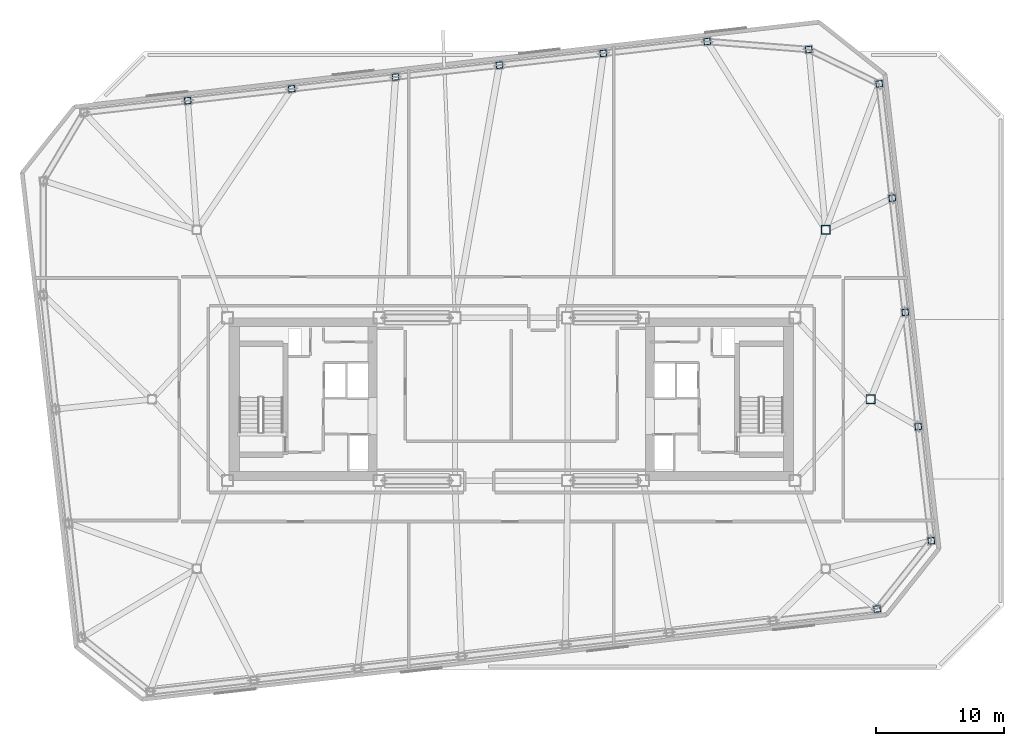
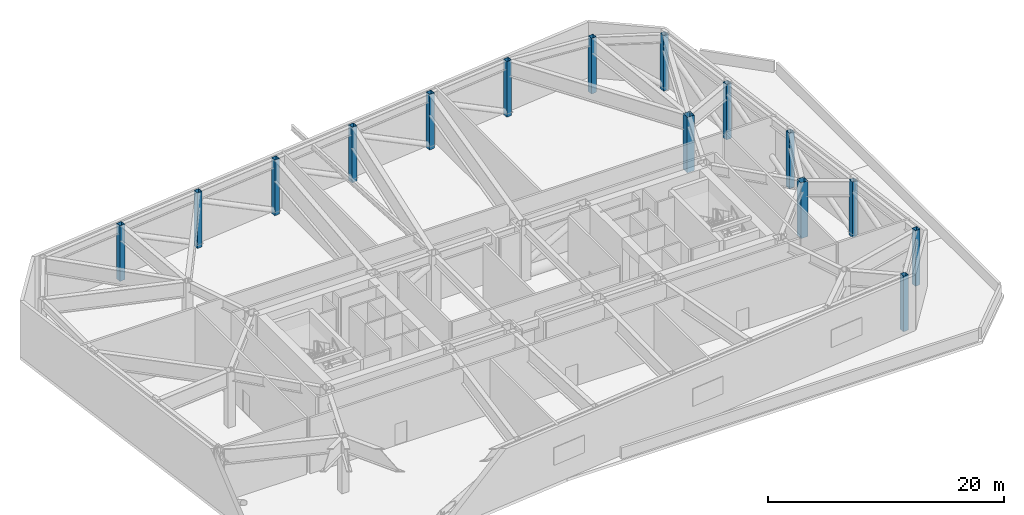
# One storey, part 2 of 13: 15 columns.
"""IFC4 building model written with IfcOpenShell, lengths in metres."""

from ifc_helpers import new_model, si_unit, direction, frame, origin, origin_2d, place, context, subcontext, project, spatial, hollow_rectangle, extrude, material, material_profile, profile_set, type_object, element, save


model = new_model("IFC4")

# Units and contexts
model_context = context("Model", 3, precision=1e-05, world=origin(), true_north=direction((0.0, 1.0)))
body_context = subcontext(model_context, "Body", "Model", "MODEL_VIEW")
ifc_project = project(units=[si_unit("LENGTHUNIT", "METRE"), si_unit("AREAUNIT", "SQUARE_METRE"), si_unit("VOLUMEUNIT", "CUBIC_METRE"), si_unit("PLANEANGLEUNIT", "RADIAN"), si_unit("MASSUNIT", "GRAM", prefix="KILO")], contexts=[model_context])

# Site, building, storey
site_placement = place(None, origin())
site = spatial("IfcSite", under=ifc_project, at=site_placement, CompositionType="ELEMENT")
building_placement = place(site_placement, origin())
building = spatial("IfcBuilding", under=site, at=building_placement, Name="Tavrogorsk Clinical Tower", CompositionType="ELEMENT")
storey_placement = place(building_placement, frame((0.0, 0.0, 208.199951171875)))
storey = spatial("IfcBuildingStorey", under=building, at=storey_placement, Name="L48", CompositionType="ELEMENT", Elevation=208.199951171875)

# Columns
ifc_material_1 = material(Name="Structural steel S440", Category="steel")
ifc_material_profile_1 = material_profile(ifc_material_1, hollow_rectangle(XDim=0.699951171875, YDim=0.699951171875, WallThickness=0.031982421875, at=origin_2d()), Name="BOX-700x700x32")
ifc_profile_set_1 = profile_set([ifc_material_profile_1], Name="Structural steel S440")
column_type_1 = type_object("IfcColumnType", Name="MegaCol_BOX700", PredefinedType="COLUMN", material=ifc_profile_set_1)
for number, where, z_axis, x_axis, name in (
    (1, (24.5, 13.199951171875, 0.0), (0.0, 0.0, 1.0), (1.0, 0.0, 0.0), "L48 Spine Pilotis Column MC-P4"),
    (2, (28.0, 0.0, 0.0), (0.0, 0.0, 1.0), (1.0, 0.0, 0.0), "L48 Spine Pilotis Column MC-P6"),
):
    element("IfcColumn", number, at=place(storey_placement, frame(where, z_axis=z_axis, x_axis=x_axis)), inside=storey, type_object=column_type_1, Name=name, PredefinedType="COLUMN", context=body_context, shape_type="SweptSolid", body=[
        extrude(hollow_rectangle(XDim=0.699951171875, YDim=0.699951171875, WallThickness=0.031982421875, at=origin_2d()), origin(), (0.0, 0.0, 1.0), 5.739990234375),
    ])
ifc_material_2 = material(Name="Structural steel S440", Category="steel")
ifc_material_profile_2 = material_profile(ifc_material_2, hollow_rectangle(XDim=0.5, YDim=0.5, WallThickness=0.02490234375, at=origin_2d()), Name="BOX-500x500x25")
ifc_profile_set_2 = profile_set([ifc_material_profile_2], Name="Structural steel S440")
column_type_2 = type_object("IfcColumnType", Name="PerimCol_B4_BOX500", PredefinedType="COLUMN", material=ifc_profile_set_2)
for number, where, z_axis, x_axis, name in (
    (3, (28.508544921875, -16.345458984375, 0.0), (0.0, 0.0, 1.0), (0.993571855677, 0.113203213768, 0.0), "L48 Perimeter Column S8"),
    (4, (23.188232421875, 27.25341796875, 0.0), (0.0, 0.0, 1.0), (0.993571855677, 0.113203213768, 0.0), "L48 Perimeter Column N1"),
    (5, (15.2685546875, 27.880126953125, 0.0), (0.0, 0.0, 1.0), (0.993571855677, 0.113203213768, 0.0), "L48 Perimeter Column N2"),
    (6, (7.17236328125, 26.95751953125, 0.0), (0.0, 0.0, 1.0), (0.993571855677, 0.113203213768, 0.0), "L48 Perimeter Column N3"),
    (7, (-0.923828125, 26.03515625, 0.0), (0.0, 0.0, 1.0), (0.993571855677, 0.113203213768, 0.0), "L48 Perimeter Column N4"),
    (8, (-9.02001953125, 25.11279296875, 0.0), (0.0, 0.0, 1.0), (0.993571855677, 0.113203213768, 0.0), "L48 Perimeter Column N5"),
    (9, (-17.1162109375, 24.190185546875, 0.0), (0.0, 0.0, 1.0), (0.993571855677, 0.113203213768, 0.0), "L48 Perimeter Column N6"),
    (10, (-25.21240234375, 23.267822265625, 0.0), (0.0, 0.0, 1.0), (0.993571855677, 0.113203213768, 0.0), "L48 Perimeter Column N7"),
    (11, (32.734375, -11.032958984375, 0.0), (0.0, 0.0, 1.0), (0.993571855677, 0.113203213768, 0.0), "L48 Perimeter Column E1"),
    (12, (31.72021484375, -2.130615234375, 0.0), (0.0, 0.0, 1.0), (0.993571855677, 0.113203213768, 0.0), "L48 Perimeter Column E2"),
    (13, (30.705810546875, 6.77197265625, 0.0), (0.0, 0.0, 1.0), (0.993571855677, 0.113203213768, 0.0), "L48 Perimeter Column E3"),
    (14, (29.69140625, 15.67431640625, 0.0), (0.0, 0.0, 1.0), (0.993571855677, 0.113203213768, 0.0), "L48 Perimeter Column E4"),
    (15, (28.67724609375, 24.57666015625, 0.0), (0.0, 0.0, 1.0), (0.993571855677, 0.113203213768, 0.0), "L48 Perimeter Column E5"),
):
    element("IfcColumn", number, at=place(storey_placement, frame(where, z_axis=z_axis, x_axis=x_axis)), inside=storey, type_object=column_type_2, Name=name, PredefinedType="COLUMN", context=body_context, shape_type="SweptSolid", body=[
        extrude(hollow_rectangle(XDim=0.5, YDim=0.5, WallThickness=0.02490234375, at=origin_2d()), origin(), (0.0, 0.0, 1.0), 5.739990234375),
    ])

save(model, "model.ifc")
